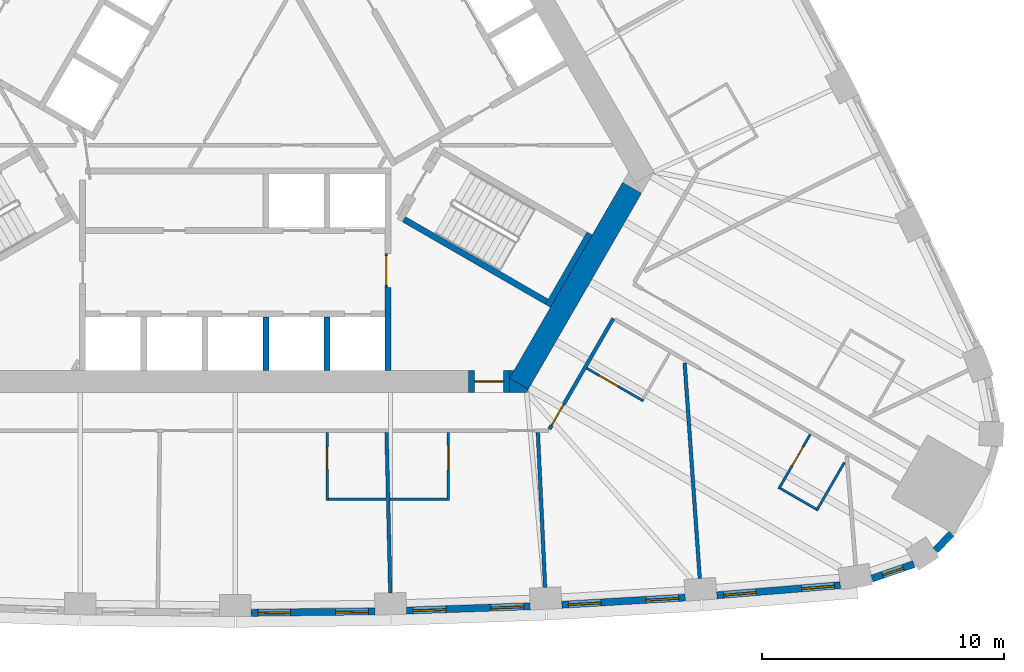
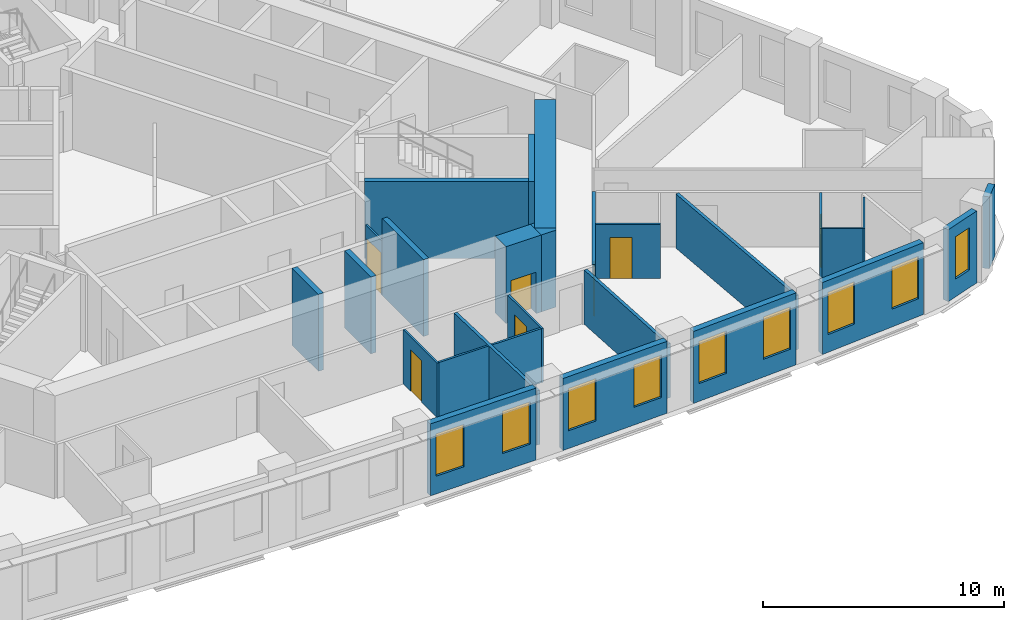
# One storey, part 7 of 12: 28 walls, 9 windows, 7 doors, 16 openings.
"""IFC4 building model written with IfcOpenShell, lengths in metres."""

from ifc_helpers import new_model, si_unit, direction, frame, frame_2d, origin, place, context, subcontext, project, spatial, polyline, rectangle, outline, extrude, material, layer, layer_set, type_object, element, fill, save


model = new_model("IFC4")

# Units and contexts
model_context = context("Model", 3, precision=1e-05, world=origin(), true_north=direction((0.0, 1.0)))
body_context = subcontext(model_context, "Body", "Model", "MODEL_VIEW")
ifc_project = project(units=[si_unit("LENGTHUNIT", "METRE"), si_unit("AREAUNIT", "SQUARE_METRE"), si_unit("VOLUMEUNIT", "CUBIC_METRE"), si_unit("PLANEANGLEUNIT", "RADIAN"), si_unit("MASSUNIT", "GRAM", prefix="KILO")], contexts=[model_context])

# Site, building, storey
site_placement = place(None, origin())
site = spatial("IfcSite", under=ifc_project, at=site_placement, CompositionType="ELEMENT")
building_placement = place(site_placement, origin())
building = spatial("IfcBuilding", under=site, at=building_placement, Name="Mestral Congress Tower", CompositionType="ELEMENT")
storey_placement = place(building_placement, frame((0.0, 0.0, 126.60009765625)))
storey = spatial("IfcBuildingStorey", under=building, at=storey_placement, Name="L30", CompositionType="ELEMENT", Elevation=126.60009765625)

# Wall, opening, door
ifc_material_1 = material(Name="Fire-rated board partition")
ifc_layer_1 = layer(ifc_material_1, 0.090087890625)
ifc_layer_set_1 = layer_set([ifc_layer_1], Name="Fire-rated board partition")
wall_type_1 = type_object("IfcWallType", Name="Core partition 150 door-wall 90", PredefinedType="PARTITIONING", material=ifc_layer_set_1)
wall_1_placement = place(storey_placement, frame((6.219970703125, -7.266357421875, 0.0), z_axis=(0.0, 0.0, 1.0), x_axis=(0.0, -1.0, 0.0)))
wall_1 = element("IfcWall", 1, at=wall_1_placement, inside=storey, type_object=wall_type_1, Name="L30 door wall", PredefinedType="PARTITIONING", context=body_context, shape_type="SweptSolid", body=[
    extrude(rectangle(XDim=1.400146484375, YDim=0.090087890625, at=frame_2d((0.7001953125, 0.0))), origin(), (0.0, 0.0, 1.0), 2.75),
])
opening_1_placement = place(wall_1_placement, frame((0.10009765625, 0.0, 0.0)))
opening_1 = element("IfcOpeningElement", 2, at=opening_1_placement, cuts=wall_1, Name="Opening LB0-WL1", PredefinedType="OPENING", context=body_context, shape_type="SweptSolid", body=[
    extrude(rectangle(XDim=1.199951171875, YDim=2.10009765625, at=frame_2d((0.60009765625, 1.050048828125))), frame((0.0, 0.054931640625, 0.0), z_axis=(0.0, -1.0, 0.0), x_axis=(1.0, 0.0, 0.0)), (0.0, 0.0, 1.0), 0.110107421875),
])
ifc_material_2 = material(Name="Fire-rated steel door set", Category="steel")
door_type_1 = type_object("IfcDoorType", Name="Core door LB 1200x2100", OperationType="SINGLE_SWING_LEFT", PredefinedType="DOOR", material=ifc_material_2)
door_1_placement = place(opening_1_placement, origin())
door_1 = element("IfcDoor", 3, at=door_1_placement, inside=storey, type_object=door_type_1, Name="Door LB0-WL1", OperationType="SINGLE_SWING_LEFT", OverallHeight=2.10009765625, OverallWidth=1.199951171875, PredefinedType="DOOR", context=body_context, shape_type="SweptSolid", body=[
    extrude(rectangle(XDim=1.199951171875, YDim=2.10009765625, at=frame_2d((0.60009765625, 1.050048828125))), frame((0.0, 0.02490234375, 0.0), z_axis=(0.0, -1.0, 0.0), x_axis=(1.0, 0.0, 0.0)), (0.0, 0.0, 1.0), 0.050048828125),
])
fill(opening_1, door_1)

# Walls
ifc_material_3 = material(Name="Concrete C60/75", Category="concrete")
ifc_layer_2 = layer(ifc_material_3, 0.89990234375)
ifc_layer_set_2 = layer_set([ifc_layer_2], Name="Concrete C60/75")
wall_type_2 = type_object("IfcWallType", Name="Core wall RC 900", PredefinedType="SOLIDWALL", material=ifc_layer_set_2)
wall_2_placement = place(storey_placement, frame((11.69482421875, -12.643798828125, 0.0), z_axis=(0.0, 0.0, 1.0), x_axis=(0.500010229568, 0.86601949766, 0.0)))
element("IfcWall", 4, at=wall_2_placement, inside=storey, type_object=wall_type_2, Name="L30 core wall", PredefinedType="SOLIDWALL", context=body_context, shape_type="SweptSolid", body=[
    extrude(rectangle(XDim=9.326416015625, YDim=0.89990234375, at=frame_2d((4.6630859375, 0.0))), origin(), (0.0, 0.0, 1.0), 3.89990234375),
])
placement = place(storey_placement, origin())
element("IfcWall", 5, at=placement, inside=storey, type_object=wall_type_2, Name="L30 core wall", PredefinedType="SOLIDWALL", context=body_context, shape_type="SweptSolid", body=[
    extrude(outline(polyline([(12.0087890625, -13.0), (11.31201171875, -13.0), (11.31201171875, -12.425048828125), (12.08349609375, -12.87060546875), (12.0087890625, -13.0)])), origin(), (0.0, 0.0, 1.0), 3.89990234375),
])
element("IfcWall", 6, at=placement, inside=storey, type_object=wall_type_2, Name="L30 core wall", PredefinedType="SOLIDWALL", context=body_context, shape_type="SweptSolid", body=[
    extrude(outline(polyline([(11.4892578125, -12.10009765625), (11.31201171875, -12.4072265625), (11.31201171875, -12.10009765625), (11.4892578125, -12.10009765625)])), origin(), (0.0, 0.0, 1.0), 3.89990234375),
])

# Wall, opening, door
wall_5_placement = place(storey_placement, frame((11.311767578125, -12.550048828125, 0.0), z_axis=(0.0, 0.0, 1.0), x_axis=(-1.0, 0.0, 0.0)))
wall_5 = element("IfcWall", 7, at=wall_5_placement, inside=storey, type_object=wall_type_2, Name="L30 door wall", PredefinedType="SOLIDWALL", context=body_context, shape_type="SweptSolid", body=[
    extrude(rectangle(XDim=1.699951171875, YDim=0.89990234375, at=frame_2d((0.85009765625, 0.0))), origin(), (0.0, 0.0, 1.0), 3.89990234375),
])
opening_2_placement = place(wall_5_placement, frame((0.25, 0.0, 0.0)))
opening_2 = element("IfcOpeningElement", 8, at=opening_2_placement, cuts=wall_5, Name="Opening XD1", PredefinedType="OPENING", context=body_context, shape_type="SweptSolid", body=[
    extrude(rectangle(XDim=1.199951171875, YDim=2.10009765625, at=frame_2d((0.60009765625, 1.050048828125))), frame((0.0, 0.4599609375, 0.0), z_axis=(0.0, -1.0, 0.0), x_axis=(1.0, 0.0, 0.0)), (0.0, 0.0, 1.0), 0.919921875),
])
door_type_2 = type_object("IfcDoorType", Name="Core door XD 1200x2100", OperationType="SINGLE_SWING_LEFT", PredefinedType="DOOR", material=ifc_material_2)
door_2_placement = place(opening_2_placement, origin())
door_2 = element("IfcDoor", 9, at=door_2_placement, inside=storey, type_object=door_type_2, Name="Door XD1", OperationType="SINGLE_SWING_LEFT", OverallHeight=2.10009765625, OverallWidth=1.199951171875, PredefinedType="DOOR", context=body_context, shape_type="SweptSolid", body=[
    extrude(rectangle(XDim=1.199951171875, YDim=2.10009765625, at=frame_2d((0.60009765625, 1.050048828125))), frame((0.0, 0.02490234375, 0.0), z_axis=(0.0, -1.0, 0.0), x_axis=(1.0, 0.0, 0.0)), (0.0, 0.0, 1.0), 0.050048828125),
])
fill(opening_2, door_2)

# Wall, openings, windows
ifc_material_4 = material(Name="Precast concrete C40/50 with limestone facing", Category="masonry")
ifc_layer_3 = layer(ifc_material_4, 0.2900390625)
ifc_layer_set_3 = layer_set([ifc_layer_3], Name="Precast concrete C40/50 with limestone facing")
wall_type_3 = type_object("IfcWallType", Name="Facade stone wall 290", PredefinedType="SOLIDWALL", material=ifc_layer_set_3)
wall_6_placement = place(storey_placement, frame((0.6533203125, -22.091064453125, 0.0), z_axis=(0.0, 0.0, 1.0), x_axis=(0.999931786565, 0.011679992145, 0.0)))
wall_6 = element("IfcWall", 10, at=wall_6_placement, inside=storey, type_object=wall_type_3, Name="Facade wall F0-04", PredefinedType="SOLIDWALL", context=body_context, shape_type="SweptSolid", body=[
    extrude(rectangle(XDim=5.10009765625, YDim=0.2900390625, at=frame_2d((2.550048828125, 0.0))), origin(), (0.0, 0.0, 1.0), 3.64990234375),
])
opening_3_placement = place(wall_6_placement, frame((0.272705078125, 0.0, 0.89990234375)))
opening_3 = element("IfcOpeningElement", 11, at=opening_3_placement, cuts=wall_6, Name="Opening W2", PredefinedType="OPENING", context=body_context, shape_type="SweptSolid", body=[
    extrude(rectangle(XDim=1.35009765625, YDim=2.14990234375, at=frame_2d((0.675048828125, 1.074951171875))), frame((0.0, 0.155029296875, 0.0), z_axis=(0.0, -1.0, 0.0), x_axis=(1.0, 0.0, 0.0)), (0.0, 0.0, 1.0), 0.31005859375),
])
opening_4_placement = place(wall_6_placement, frame((3.477783203125, 0.0, 0.89990234375)))
opening_4 = element("IfcOpeningElement", 12, at=opening_4_placement, cuts=wall_6, Name="Opening W2", PredefinedType="OPENING", context=body_context, shape_type="SweptSolid", body=[
    extrude(rectangle(XDim=1.35009765625, YDim=2.14990234375, at=frame_2d((0.675048828125, 1.074951171875))), frame((0.0, 0.155029296875, 0.0), z_axis=(0.0, -1.0, 0.0), x_axis=(1.0, 0.0, 0.0)), (0.0, 0.0, 1.0), 0.31005859375),
])
ifc_material_5 = material(Name="Clear low-emissivity double glazing", Category="glass")
window_type_1 = type_object("IfcWindowType", Name="Facade punched window 1350 x 2150 sill 900", PartitioningType="DOUBLE_PANEL_VERTICAL", PredefinedType="WINDOW", material=ifc_material_5)
window_1_placement = place(opening_3_placement, origin())
window_1 = element("IfcWindow", 13, at=window_1_placement, inside=storey, type_object=window_type_1, Name="Window F0-04a", OverallHeight=2.14990234375, OverallWidth=1.35009765625, PartitioningType="DOUBLE_PANEL_VERTICAL", PredefinedType="WINDOW", context=body_context, shape_type="SweptSolid", body=[
    extrude(rectangle(XDim=1.35009765625, YDim=2.14990234375, at=frame_2d((0.675048828125, 1.074951171875))), frame((0.0, 0.01513671875, 0.0), z_axis=(0.0, -1.0, 0.0), x_axis=(1.0, 0.0, 0.0)), (0.0, 0.0, 1.0), 0.06005859375),
])
fill(opening_3, window_1)
window_2_placement = place(opening_4_placement, origin())
window_2 = element("IfcWindow", 14, at=window_2_placement, inside=storey, type_object=window_type_1, Name="Window F0-04b", OverallHeight=2.14990234375, OverallWidth=1.35009765625, PartitioningType="DOUBLE_PANEL_VERTICAL", PredefinedType="WINDOW", context=body_context, shape_type="SweptSolid", body=[
    extrude(rectangle(XDim=1.35009765625, YDim=2.14990234375, at=frame_2d((0.675048828125, 1.074951171875))), frame((0.0, 0.01513671875, 0.0), z_axis=(0.0, -1.0, 0.0), x_axis=(1.0, 0.0, 0.0)), (0.0, 0.0, 1.0), 0.06005859375),
])
fill(opening_4, window_2)

wall_7_placement = place(storey_placement, frame((7.059326171875, -22.000732421875, 0.0), z_axis=(0.0, 0.0, 1.0), x_axis=(0.999385993957, 0.035037623812, 0.0)))
wall_7 = element("IfcWall", 15, at=wall_7_placement, inside=storey, type_object=wall_type_3, Name="Facade wall F0-05", PredefinedType="SOLIDWALL", context=body_context, shape_type="SweptSolid", body=[
    extrude(rectangle(XDim=5.1005859375, YDim=0.2900390625, at=frame_2d((2.55029296875, 0.0))), origin(), (0.0, 0.0, 1.0), 3.64990234375),
])
opening_5_placement = place(wall_7_placement, frame((0.272705078125, 0.0, 0.89990234375)))
opening_5 = element("IfcOpeningElement", 16, at=opening_5_placement, cuts=wall_7, Name="Opening W2", PredefinedType="OPENING", context=body_context, shape_type="SweptSolid", body=[
    extrude(rectangle(XDim=1.35009765625, YDim=2.14990234375, at=frame_2d((0.675048828125, 1.074951171875))), frame((0.0, 0.155029296875, 0.0), z_axis=(0.0, -1.0, 0.0), x_axis=(1.0, 0.0, 0.0)), (0.0, 0.0, 1.0), 0.31005859375),
])
opening_6_placement = place(wall_7_placement, frame((3.477783203125, 0.0, 0.89990234375)))
opening_6 = element("IfcOpeningElement", 17, at=opening_6_placement, cuts=wall_7, Name="Opening W2", PredefinedType="OPENING", context=body_context, shape_type="SweptSolid", body=[
    extrude(rectangle(XDim=1.35009765625, YDim=2.14990234375, at=frame_2d((0.675048828125, 1.074951171875))), frame((0.0, 0.155029296875, 0.0), z_axis=(0.0, -1.0, 0.0), x_axis=(1.0, 0.0, 0.0)), (0.0, 0.0, 1.0), 0.31005859375),
])
window_3_placement = place(opening_5_placement, origin())
window_3 = element("IfcWindow", 18, at=window_3_placement, inside=storey, type_object=window_type_1, Name="Window F0-05a", OverallHeight=2.14990234375, OverallWidth=1.35009765625, PartitioningType="DOUBLE_PANEL_VERTICAL", PredefinedType="WINDOW", context=body_context, shape_type="SweptSolid", body=[
    extrude(rectangle(XDim=1.35009765625, YDim=2.14990234375, at=frame_2d((0.675048828125, 1.074951171875))), frame((0.0, 0.01513671875, 0.0), z_axis=(0.0, -1.0, 0.0), x_axis=(1.0, 0.0, 0.0)), (0.0, 0.0, 1.0), 0.06005859375),
])
fill(opening_5, window_3)
window_4_placement = place(opening_6_placement, origin())
window_4 = element("IfcWindow", 19, at=window_4_placement, inside=storey, type_object=window_type_1, Name="Window F0-05b", OverallHeight=2.14990234375, OverallWidth=1.35009765625, PartitioningType="DOUBLE_PANEL_VERTICAL", PredefinedType="WINDOW", context=body_context, shape_type="SweptSolid", body=[
    extrude(rectangle(XDim=1.35009765625, YDim=2.14990234375, at=frame_2d((0.675048828125, 1.074951171875))), frame((0.0, 0.01513671875, 0.0), z_axis=(0.0, -1.0, 0.0), x_axis=(1.0, 0.0, 0.0)), (0.0, 0.0, 1.0), 0.06005859375),
])
fill(opening_6, window_4)

wall_8_placement = place(storey_placement, frame((13.4619140625, -21.760986328125, 0.0), z_axis=(0.0, 0.0, 1.0), x_axis=(0.998290511436, 0.058447025388, 0.0)))
wall_8 = element("IfcWall", 20, at=wall_8_placement, inside=storey, type_object=wall_type_3, Name="Facade wall F0-06", PredefinedType="SOLIDWALL", context=body_context, shape_type="SweptSolid", body=[
    extrude(rectangle(XDim=5.100341796875, YDim=0.2900390625, at=frame_2d((2.55029296875, 0.0))), origin(), (0.0, 0.0, 1.0), 3.64990234375),
])
opening_7_placement = place(wall_8_placement, frame((0.2724609375, 0.0, 0.89990234375)))
opening_7 = element("IfcOpeningElement", 21, at=opening_7_placement, cuts=wall_8, Name="Opening W2", PredefinedType="OPENING", context=body_context, shape_type="SweptSolid", body=[
    extrude(rectangle(XDim=1.35009765625, YDim=2.14990234375, at=frame_2d((0.675048828125, 1.074951171875))), frame((0.0, 0.155029296875, 0.0), z_axis=(0.0, -1.0, 0.0), x_axis=(1.0, 0.0, 0.0)), (0.0, 0.0, 1.0), 0.31005859375),
])
opening_8_placement = place(wall_8_placement, frame((3.477783203125, 0.0, 0.89990234375)))
opening_8 = element("IfcOpeningElement", 22, at=opening_8_placement, cuts=wall_8, Name="Opening W2", PredefinedType="OPENING", context=body_context, shape_type="SweptSolid", body=[
    extrude(rectangle(XDim=1.35009765625, YDim=2.14990234375, at=frame_2d((0.675048828125, 1.074951171875))), frame((0.0, 0.155029296875, 0.0), z_axis=(0.0, -1.0, 0.0), x_axis=(1.0, 0.0, 0.0)), (0.0, 0.0, 1.0), 0.31005859375),
])
window_5_placement = place(opening_7_placement, origin())
window_5 = element("IfcWindow", 23, at=window_5_placement, inside=storey, type_object=window_type_1, Name="Window F0-06a", OverallHeight=2.14990234375, OverallWidth=1.35009765625, PartitioningType="DOUBLE_PANEL_VERTICAL", PredefinedType="WINDOW", context=body_context, shape_type="SweptSolid", body=[
    extrude(rectangle(XDim=1.35009765625, YDim=2.14990234375, at=frame_2d((0.675048828125, 1.074951171875))), frame((0.0, 0.01513671875, 0.0), z_axis=(0.0, -1.0, 0.0), x_axis=(1.0, 0.0, 0.0)), (0.0, 0.0, 1.0), 0.06005859375),
])
fill(opening_7, window_5)
window_6_placement = place(opening_8_placement, origin())
window_6 = element("IfcWindow", 24, at=window_6_placement, inside=storey, type_object=window_type_1, Name="Window F0-06b", OverallHeight=2.14990234375, OverallWidth=1.35009765625, PartitioningType="DOUBLE_PANEL_VERTICAL", PredefinedType="WINDOW", context=body_context, shape_type="SweptSolid", body=[
    extrude(rectangle(XDim=1.35009765625, YDim=2.14990234375, at=frame_2d((0.675048828125, 1.074951171875))), frame((0.0, 0.01513671875, 0.0), z_axis=(0.0, -1.0, 0.0), x_axis=(1.0, 0.0, 0.0)), (0.0, 0.0, 1.0), 0.06005859375),
])
fill(opening_8, window_6)

wall_9_placement = place(storey_placement, frame((19.856689453125, -21.37109375, 0.0), z_axis=(0.0, 0.0, 1.0), x_axis=(0.99665273362, 0.081751627308, 0.0)))
wall_9 = element("IfcWall", 25, at=wall_9_placement, inside=storey, type_object=wall_type_3, Name="Facade wall F0-07", PredefinedType="SOLIDWALL", context=body_context, shape_type="SweptSolid", body=[
    extrude(rectangle(XDim=5.106689453125, YDim=0.2900390625, at=frame_2d((2.55322265625, 0.0))), origin(), (0.0, 0.0, 1.0), 3.64990234375),
])
opening_9_placement = place(wall_9_placement, frame((0.285400390625, 0.0, 0.89990234375)))
opening_9 = element("IfcOpeningElement", 26, at=opening_9_placement, cuts=wall_9, Name="Opening W2", PredefinedType="OPENING", context=body_context, shape_type="SweptSolid", body=[
    extrude(rectangle(XDim=1.35009765625, YDim=2.14990234375, at=frame_2d((0.675048828125, 1.074951171875))), frame((0.0, 0.155029296875, 0.0), z_axis=(0.0, -1.0, 0.0), x_axis=(1.0, 0.0, 0.0)), (0.0, 0.0, 1.0), 0.31005859375),
])
opening_10_placement = place(wall_9_placement, frame((3.51611328125, 0.0, 0.89990234375)))
opening_10 = element("IfcOpeningElement", 27, at=opening_10_placement, cuts=wall_9, Name="Opening W2", PredefinedType="OPENING", context=body_context, shape_type="SweptSolid", body=[
    extrude(rectangle(XDim=1.35009765625, YDim=2.14990234375, at=frame_2d((0.675048828125, 1.074951171875))), frame((0.0, 0.155029296875, 0.0), z_axis=(0.0, -1.0, 0.0), x_axis=(1.0, 0.0, 0.0)), (0.0, 0.0, 1.0), 0.31005859375),
])
window_7_placement = place(opening_9_placement, origin())
window_7 = element("IfcWindow", 28, at=window_7_placement, inside=storey, type_object=window_type_1, Name="Window F0-07a", OverallHeight=2.14990234375, OverallWidth=1.35009765625, PartitioningType="DOUBLE_PANEL_VERTICAL", PredefinedType="WINDOW", context=body_context, shape_type="SweptSolid", body=[
    extrude(rectangle(XDim=1.35009765625, YDim=2.14990234375, at=frame_2d((0.675048828125, 1.074951171875))), frame((0.0, 0.01513671875, 0.0), z_axis=(0.0, -1.0, 0.0), x_axis=(1.0, 0.0, 0.0)), (0.0, 0.0, 1.0), 0.06005859375),
])
fill(opening_9, window_7)
window_8_placement = place(opening_10_placement, origin())
window_8 = element("IfcWindow", 29, at=window_8_placement, inside=storey, type_object=window_type_1, Name="Window F0-07b", OverallHeight=2.14990234375, OverallWidth=1.35009765625, PartitioningType="DOUBLE_PANEL_VERTICAL", PredefinedType="WINDOW", context=body_context, shape_type="SweptSolid", body=[
    extrude(rectangle(XDim=1.35009765625, YDim=2.14990234375, at=frame_2d((0.675048828125, 1.074951171875))), frame((0.0, 0.01513671875, 0.0), z_axis=(0.0, -1.0, 0.0), x_axis=(1.0, 0.0, 0.0)), (0.0, 0.0, 1.0), 0.06005859375),
])
fill(opening_10, window_8)

# Wall, opening, window
wall_10_placement = place(storey_placement, frame((26.260986328125, -20.67919921875, 0.0), z_axis=(0.0, 0.0, 1.0), x_axis=(0.945385815453, 0.325953462844, 0.0)))
wall_10 = element("IfcWall", 30, at=wall_10_placement, inside=storey, type_object=wall_type_3, Name="Facade wall K0-0", PredefinedType="SOLIDWALL", context=body_context, shape_type="SweptSolid", body=[
    extrude(rectangle(XDim=1.8193359375, YDim=0.2900390625, at=frame_2d((0.90966796875, 0.0))), origin(), (0.0, 0.0, 1.0), 3.64990234375),
])
opening_11_placement = place(wall_10_placement, frame((0.459716796875, 0.0, 0.89990234375)))
opening_11 = element("IfcOpeningElement", 31, at=opening_11_placement, cuts=wall_10, Name="Opening W3", PredefinedType="OPENING", context=body_context, shape_type="SweptSolid", body=[
    extrude(rectangle(XDim=0.89990234375, YDim=2.14990234375, at=frame_2d((0.449951171875, 1.074951171875))), frame((0.0, 0.155029296875, 0.0), z_axis=(0.0, -1.0, 0.0), x_axis=(1.0, 0.0, 0.0)), (0.0, 0.0, 1.0), 0.31005859375),
])
window_type_2 = type_object("IfcWindowType", Name="Facade punched window 900 x 2150 sill 900", PartitioningType="SINGLE_PANEL", PredefinedType="WINDOW", material=ifc_material_5)
window_9_placement = place(opening_11_placement, origin())
window_9 = element("IfcWindow", 32, at=window_9_placement, inside=storey, type_object=window_type_2, Name="Window K0-0", OverallHeight=2.14990234375, OverallWidth=0.89990234375, PartitioningType="SINGLE_PANEL", PredefinedType="WINDOW", context=body_context, shape_type="SweptSolid", body=[
    extrude(rectangle(XDim=0.89990234375, YDim=2.14990234375, at=frame_2d((0.449951171875, 1.074951171875))), frame((0.0, 0.01513671875, 0.0), z_axis=(0.0, -1.0, 0.0), x_axis=(1.0, 0.0, 0.0)), (0.0, 0.0, 1.0), 0.06005859375),
])
fill(opening_11, window_9)

# Wall
wall_11_placement = place(storey_placement, frame((28.88037109375, -19.50927734375, 0.0), z_axis=(0.0, 0.0, 1.0), x_axis=(0.690414427296, 0.723414071319, 0.0)))
element("IfcWall", 33, at=wall_11_placement, inside=storey, type_object=wall_type_3, Name="Facade wall K0-1", PredefinedType="SOLIDWALL", context=body_context, shape_type="SweptSolid", body=[
    extrude(rectangle(XDim=0.947021484375, YDim=0.2900390625, at=frame_2d((0.4736328125, 0.0))), origin(), (0.0, 0.0, 1.0), 3.64990234375),
])

# Wall, opening, door
ifc_material_6 = material(Name="Gypsum board partition on metal studs with mineral wool", Category="composite")
ifc_layer_4 = layer(ifc_material_6, 0.10009765625)
ifc_layer_set_4 = layer_set([ifc_layer_4], Name="Gypsum board partition on metal studs with mineral wool")
wall_type_4 = type_object("IfcWallType", Name="Hotel partition wall 100", PredefinedType="PARTITIONING", material=ifc_layer_set_4)
wall_12_placement = place(storey_placement, frame((3.7802734375, -14.64990234375, 0.0), z_axis=(0.0, 0.0, 1.0), x_axis=(0.0, -1.0, 0.0)))
wall_12 = element("IfcWall", 34, at=wall_12_placement, inside=storey, type_object=wall_type_4, Name="L30-h-pod03a", PredefinedType="PARTITIONING", context=body_context, shape_type="SweptSolid", body=[
    extrude(rectangle(XDim=2.800048828125, YDim=0.10009765625, at=frame_2d((1.39990234375, 0.0))), origin(), (0.0, 0.0, 1.0), 2.75),
])
opening_12_placement = place(wall_12_placement, frame((0.60009765625, 0.0, 0.0)))
opening_12 = element("IfcOpeningElement", 35, at=opening_12_placement, cuts=wall_12, Name="Opening H09-006", PredefinedType="OPENING", context=body_context, shape_type="SweptSolid", body=[
    extrude(rectangle(XDim=0.89990234375, YDim=2.10009765625, at=frame_2d((0.449951171875, 1.050048828125))), frame((0.0, 0.06005859375, 0.0), z_axis=(0.0, -1.0, 0.0), x_axis=(1.0, 0.0, 0.0)), (0.0, 0.0, 1.0), 0.1201171875),
])
ifc_material_7 = material(Name="Timber veneer door leaf in timber frame", Category="wood")
door_type_3 = type_object("IfcDoorType", Name="Bathroom door 900", OperationType="SINGLE_SWING_LEFT", PredefinedType="DOOR", material=ifc_material_7)
door_3_placement = place(opening_12_placement, origin())
door_3 = element("IfcDoor", 36, at=door_3_placement, inside=storey, type_object=door_type_3, Name="L30-h-d006", OperationType="SINGLE_SWING_RIGHT", OverallHeight=2.10009765625, OverallWidth=0.89990234375, PredefinedType="DOOR", context=body_context, shape_type="SweptSolid", body=[
    extrude(rectangle(XDim=0.89990234375, YDim=2.10009765625, at=frame_2d((0.449951171875, 1.050048828125))), frame((0.0, 0.02490234375, 0.0), z_axis=(0.0, -1.0, 0.0), x_axis=(1.0, 0.0, 0.0)), (0.0, 0.0, 1.0), 0.050048828125),
])
fill(opening_12, door_3)

# Wall
wall_13_placement = place(storey_placement, frame((3.830078125, -17.39990234375, 0.0), z_axis=(0.0, 0.0, 1.0), x_axis=(1.0, 0.0, 0.0)))
element("IfcWall", 37, at=wall_13_placement, inside=storey, type_object=wall_type_4, Name="L30-h-pod03b", PredefinedType="PARTITIONING", context=body_context, shape_type="SweptSolid", body=[
    extrude(rectangle(XDim=2.39013671875, YDim=0.10009765625, at=frame_2d((1.195068359375, 0.0))), origin(), (0.0, 0.0, 1.0), 2.75),
])

# Wall, opening, door
wall_14_placement = place(storey_placement, frame((8.78759765625, -17.449951171875, 0.0), z_axis=(0.0, 0.0, 1.0), x_axis=(0.0, 1.0, 0.0)))
wall_14 = element("IfcWall", 38, at=wall_14_placement, inside=storey, type_object=wall_type_4, Name="L30-h-pod04a", PredefinedType="PARTITIONING", context=body_context, shape_type="SweptSolid", body=[
    extrude(rectangle(XDim=2.800048828125, YDim=0.10009765625, at=frame_2d((1.39990234375, 0.0))), origin(), (0.0, 0.0, 1.0), 2.75),
])
opening_13_placement = place(wall_14_placement, frame((1.25, 0.0, 0.0)))
opening_13 = element("IfcOpeningElement", 39, at=opening_13_placement, cuts=wall_14, Name="Opening H09-008", PredefinedType="OPENING", context=body_context, shape_type="SweptSolid", body=[
    extrude(rectangle(XDim=1.0, YDim=2.10009765625, at=frame_2d((0.5, 1.050048828125))), frame((0.0, 0.06005859375, 0.0), z_axis=(0.0, -1.0, 0.0), x_axis=(1.0, 0.0, 0.0)), (0.0, 0.0, 1.0), 0.1201171875),
])
door_type_4 = type_object("IfcDoorType", Name="Accessible bathroom door 1000", OperationType="SINGLE_SWING_LEFT", PredefinedType="DOOR", material=ifc_material_7)
door_4_placement = place(opening_13_placement, origin())
door_4 = element("IfcDoor", 40, at=door_4_placement, inside=storey, type_object=door_type_4, Name="L30-h-d008", OperationType="SINGLE_SWING_LEFT", OverallHeight=2.10009765625, OverallWidth=1.0, PredefinedType="DOOR", context=body_context, shape_type="SweptSolid", body=[
    extrude(rectangle(XDim=1.0, YDim=2.10009765625, at=frame_2d((0.5, 1.050048828125))), frame((0.0, 0.02490234375, 0.0), z_axis=(0.0, -1.0, 0.0), x_axis=(1.0, 0.0, 0.0)), (0.0, 0.0, 1.0), 0.050048828125),
])
fill(opening_13, door_4)

# Wall
wall_15_placement = place(storey_placement, frame((8.73779296875, -17.39990234375, 0.0), z_axis=(0.0, 0.0, 1.0), x_axis=(-1.0, 0.0, 0.0)))
element("IfcWall", 41, at=wall_15_placement, inside=storey, type_object=wall_type_4, Name="L30-h-pod04b", PredefinedType="PARTITIONING", context=body_context, shape_type="SweptSolid", body=[
    extrude(rectangle(XDim=2.360107421875, YDim=0.10009765625, at=frame_2d((1.18017578125, 0.0))), origin(), (0.0, 0.0, 1.0), 2.75),
])

# Wall, opening, door
wall_16_placement = place(storey_placement, frame((14.489501953125, -12.00341796875, 0.0), z_axis=(0.0, 0.0, 1.0), x_axis=(0.866059108428, -0.4999416173, 0.0)))
wall_16 = element("IfcWall", 42, at=wall_16_placement, inside=storey, type_object=wall_type_4, Name="L30-h-pod05a", PredefinedType="PARTITIONING", context=body_context, shape_type="SweptSolid", body=[
    extrude(rectangle(XDim=2.699951171875, YDim=0.10009765625, at=frame_2d((1.35009765625, 0.0))), origin(), (0.0, 0.0, 1.0), 2.75),
])
opening_14_placement = place(wall_16_placement, frame((0.60009765625, 0.0, 0.0)))
opening_14 = element("IfcOpeningElement", 43, at=opening_14_placement, cuts=wall_16, Name="Opening H09-010", PredefinedType="OPENING", context=body_context, shape_type="SweptSolid", body=[
    extrude(rectangle(XDim=0.89990234375, YDim=2.10009765625, at=frame_2d((0.449951171875, 1.050048828125))), frame((0.0, 0.06005859375, 0.0), z_axis=(0.0, -1.0, 0.0), x_axis=(1.0, 0.0, 0.0)), (0.0, 0.0, 1.0), 0.1201171875),
])
door_5_placement = place(opening_14_placement, origin())
door_5 = element("IfcDoor", 44, at=door_5_placement, inside=storey, type_object=door_type_3, Name="L30-h-d010", OperationType="SINGLE_SWING_LEFT", OverallHeight=2.10009765625, OverallWidth=0.89990234375, PredefinedType="DOOR", context=body_context, shape_type="SweptSolid", body=[
    extrude(rectangle(XDim=0.89990234375, YDim=2.10009765625, at=frame_2d((0.449951171875, 1.050048828125))), frame((0.0, 0.02490234375, 0.0), z_axis=(0.0, -1.0, 0.0), x_axis=(1.0, 0.0, 0.0)), (0.0, 0.0, 1.0), 0.050048828125),
])
fill(opening_14, door_5)

wall_17_placement = place(storey_placement, frame((23.710205078125, -14.728271484375, 0.0), z_axis=(0.0, 0.0, 1.0), x_axis=(-0.500006934395, -0.866021400173, 0.0)))
wall_17 = element("IfcWall", 45, at=wall_17_placement, inside=storey, type_object=wall_type_4, Name="L30-h-pod06a", PredefinedType="PARTITIONING", context=body_context, shape_type="SweptSolid", body=[
    extrude(rectangle(XDim=2.60009765625, YDim=0.10009765625, at=frame_2d((1.300048828125, 0.0))), origin(), (0.0, 0.0, 1.0), 2.75),
])
opening_15_placement = place(wall_17_placement, frame((0.60009765625, 0.0, 0.0)))
opening_15 = element("IfcOpeningElement", 46, at=opening_15_placement, cuts=wall_17, Name="Opening H09-012", PredefinedType="OPENING", context=body_context, shape_type="SweptSolid", body=[
    extrude(rectangle(XDim=0.89990234375, YDim=2.10009765625, at=frame_2d((0.449951171875, 1.050048828125))), frame((0.0, 0.06005859375, 0.0), z_axis=(0.0, -1.0, 0.0), x_axis=(1.0, 0.0, 0.0)), (0.0, 0.0, 1.0), 0.1201171875),
])
door_6_placement = place(opening_15_placement, origin())
door_6 = element("IfcDoor", 47, at=door_6_placement, inside=storey, type_object=door_type_3, Name="L30-h-d012", OperationType="SINGLE_SWING_RIGHT", OverallHeight=2.10009765625, OverallWidth=0.89990234375, PredefinedType="DOOR", context=body_context, shape_type="SweptSolid", body=[
    extrude(rectangle(XDim=0.89990234375, YDim=2.10009765625, at=frame_2d((0.449951171875, 1.050048828125))), frame((0.0, 0.02490234375, 0.0), z_axis=(0.0, -1.0, 0.0), x_axis=(1.0, 0.0, 0.0)), (0.0, 0.0, 1.0), 0.050048828125),
])
fill(opening_15, door_6)

# Walls
wall_18_placement = place(storey_placement, frame((22.478515625, -16.961669921875, 0.0), z_axis=(0.0, 0.0, 1.0), x_axis=(0.86605165483, -0.499954529098, 0.0)))
element("IfcWall", 48, at=wall_18_placement, inside=storey, type_object=wall_type_4, Name="L30-h-pod06b", PredefinedType="PARTITIONING", context=body_context, shape_type="SweptSolid", body=[
    extrude(rectangle(XDim=1.699951171875, YDim=0.10009765625, at=frame_2d((0.85009765625, 0.0))), origin(), (0.0, 0.0, 1.0), 2.75),
])
wall_19_placement = place(storey_placement, frame((25.118896484375, -15.88818359375, 0.0), z_axis=(0.0, 0.0, 1.0), x_axis=(-0.499998129301, -0.86602648383, 0.0)))
element("IfcWall", 49, at=wall_19_placement, inside=storey, type_object=wall_type_4, Name="L30-h-pod06c", PredefinedType="PARTITIONING", context=body_context, shape_type="SweptSolid", body=[
    extrude(rectangle(XDim=2.2998046875, YDim=0.10009765625, at=frame_2d((1.14990234375, 0.0))), origin(), (0.0, 0.0, 1.0), 2.75),
])

# Wall, opening, door
ifc_layer_5 = layer(ifc_material_6, 0.14990234375)
ifc_layer_set_5 = layer_set([ifc_layer_5], Name="Gypsum board partition on metal studs with mineral wool")
wall_type_5 = type_object("IfcWallType", Name="Hotel partition wall 150", PredefinedType="PARTITIONING", material=ifc_layer_set_5)
wall_20_placement = place(storey_placement, frame((15.58740234375, -9.951904296875, 0.0), z_axis=(0.0, 0.0, 1.0), x_axis=(-0.500016618951, -0.866015808616, 0.0)))
wall_20 = element("IfcWall", 50, at=wall_20_placement, inside=storey, type_object=wall_type_5, Name="L30-h-cw14", PredefinedType="PARTITIONING", context=body_context, shape_type="SweptSolid", body=[
    extrude(rectangle(XDim=5.268310546875, YDim=0.14990234375, at=frame_2d((2.63427734375, 0.0))), origin(), (0.0, 0.0, 1.0), 2.75),
])
opening_16_placement = place(wall_20_placement, frame((4.088134765625, 0.0, 0.0)))
opening_16 = element("IfcOpeningElement", 51, at=opening_16_placement, cuts=wall_20, Name="Opening H09-009", PredefinedType="OPENING", context=body_context, shape_type="SweptSolid", body=[
    extrude(rectangle(XDim=1.0, YDim=2.10009765625, at=frame_2d((0.5, 1.050048828125))), frame((0.0, 0.0849609375, 0.0), z_axis=(0.0, -1.0, 0.0), x_axis=(1.0, 0.0, 0.0)), (0.0, 0.0, 1.0), 0.169921875),
])
ifc_material_8 = material(Name="Timber veneer door leaf in metal frame", Category="wood")
door_type_5 = type_object("IfcDoorType", Name="Guest room entrance door 1000", OperationType="SINGLE_SWING_LEFT", PredefinedType="DOOR", material=ifc_material_8)
door_7_placement = place(opening_16_placement, origin())
door_7 = element("IfcDoor", 52, at=door_7_placement, inside=storey, type_object=door_type_5, Name="L30-h-d009", OperationType="SINGLE_SWING_RIGHT", OverallHeight=2.10009765625, OverallWidth=1.0, PredefinedType="DOOR", context=body_context, shape_type="SweptSolid", body=[
    extrude(rectangle(XDim=1.0, YDim=2.10009765625, at=frame_2d((0.5, 1.050048828125))), frame((0.0, 0.02490234375, 0.0), z_axis=(0.0, -1.0, 0.0), x_axis=(1.0, 0.0, 0.0)), (0.0, 0.0, 1.0), 0.050048828125),
])
fill(opening_16, door_7)

# Walls
wall_21_placement = place(storey_placement, frame((6.388916015625, -21.268798828125, 0.0), z_axis=(0.0, 0.0, 1.0), x_axis=(-0.023377429176, 0.999726710559, 0.0)))
element("IfcWall", 53, at=wall_21_placement, inside=storey, type_object=wall_type_5, Name="L30-h-pw14", PredefinedType="PARTITIONING", context=body_context, shape_type="SweptSolid", body=[
    extrude(rectangle(XDim=6.610595703125, YDim=0.14990234375, at=frame_2d((3.30517578125, 0.0))), origin(), (0.0, 0.0, 1.0), 2.75),
])
wall_22_placement = place(storey_placement, frame((12.7744140625, -21.044921875, 0.0), z_axis=(0.0, 0.0, 1.0), x_axis=(-0.046750341626, 0.998906605023, 0.0)))
element("IfcWall", 54, at=wall_22_placement, inside=storey, type_object=wall_type_5, Name="L30-h-pw17", PredefinedType="PARTITIONING", context=body_context, shape_type="SweptSolid", body=[
    extrude(rectangle(XDim=6.39208984375, YDim=0.14990234375, at=frame_2d((3.196044921875, 0.0))), origin(), (0.0, 0.0, 1.0), 2.75),
])
wall_23_placement = place(storey_placement, frame((19.152587890625, -20.67138671875, 0.0), z_axis=(0.0, 0.0, 1.0), x_axis=(-0.070070736723, 0.997542025107, 0.0)))
element("IfcWall", 55, at=wall_23_placement, inside=storey, type_object=wall_type_5, Name="L30-h-pw20", PredefinedType="PARTITIONING", context=body_context, shape_type="SweptSolid", body=[
    extrude(rectangle(XDim=8.9091796875, YDim=0.14990234375, at=frame_2d((4.45458984375, 0.0))), origin(), (0.0, 0.0, 1.0), 2.75),
])
ifc_layer_6 = layer(ifc_material_3, 0.25)
ifc_layer_set_6 = layer_set([ifc_layer_6], Name="Concrete C60/75")
wall_type_6 = type_object("IfcWallType", Name="Shaft wall RC 250", PredefinedType="SOLIDWALL", material=ifc_layer_set_6)
wall_24_placement = place(storey_placement, frame((6.300048828125, -8.669921875, 0.0), z_axis=(0.0, 0.0, 1.0), x_axis=(0.0, -1.0, 0.0)))
element("IfcWall", 56, at=wall_24_placement, inside=storey, type_object=wall_type_6, Name="L30 core wall", PredefinedType="SOLIDWALL", context=body_context, shape_type="SweptSolid", body=[
    extrude(rectangle(XDim=3.43017578125, YDim=0.25, at=frame_2d((1.715087890625, 0.0))), origin(), (0.0, 0.0, 1.0), 3.89990234375),
])
for number, where, z_axis, x_axis, name in (
    (57, (3.780029296875, -12.10009765625, 0.0), (0.0, 0.0, 1.0), (0.0, 1.0, 0.0), "L30 core wall"),
    (58, (1.260009765625, -12.10009765625, 0.0), (0.0, 0.0, 1.0), (0.0, 1.0, 0.0), "L30 core wall"),
):
    element("IfcWall", number, at=place(storey_placement, frame(where, z_axis=z_axis, x_axis=x_axis)), inside=storey, type_object=wall_type_6, Name=name, PredefinedType="SOLIDWALL", context=body_context, shape_type="SweptSolid", body=[
        extrude(rectangle(XDim=2.199951171875, YDim=0.25, at=frame_2d((1.10009765625, 0.0))), origin(), (0.0, 0.0, 1.0), 3.89990234375),
    ])
ifc_layer_7 = layer(ifc_material_3, 0.25)
ifc_layer_set_7 = layer_set([ifc_layer_7], Name="Concrete C60/75")
wall_type_7 = type_object("IfcWallType", Name="Stair wall RC 250", PredefinedType="SOLIDWALL", material=ifc_layer_set_7)
wall_25_placement = place(storey_placement, frame((12.885498046875, -9.431396484375, 0.0), z_axis=(0.0, 0.0, 1.0), x_axis=(0.500020560727, 0.866013532718, 0.0)))
element("IfcWall", 59, at=wall_25_placement, inside=storey, type_object=wall_type_7, Name="L30 core wall", PredefinedType="SOLIDWALL", context=body_context, shape_type="SweptSolid", body=[
    extrude(rectangle(XDim=3.449951171875, YDim=0.25, at=frame_2d((1.72509765625, 0.0))), origin(), (0.0, 0.0, 1.0), 3.89990234375),
])
wall_26_placement = place(storey_placement, frame((12.83984375, -9.2607421875, 0.0), z_axis=(0.0, 0.0, 1.0), x_axis=(-0.866013990052, 0.500019768644, 0.0)))
element("IfcWall", 60, at=wall_26_placement, inside=storey, type_object=wall_type_7, Name="L30 core wall", PredefinedType="SOLIDWALL", context=body_context, shape_type="SweptSolid", body=[
    extrude(rectangle(XDim=6.800048828125, YDim=0.25, at=frame_2d((3.39990234375, 0.0))), origin(), (0.0, 0.0, 1.0), 3.89990234375),
])

save(model, "model.ifc")
